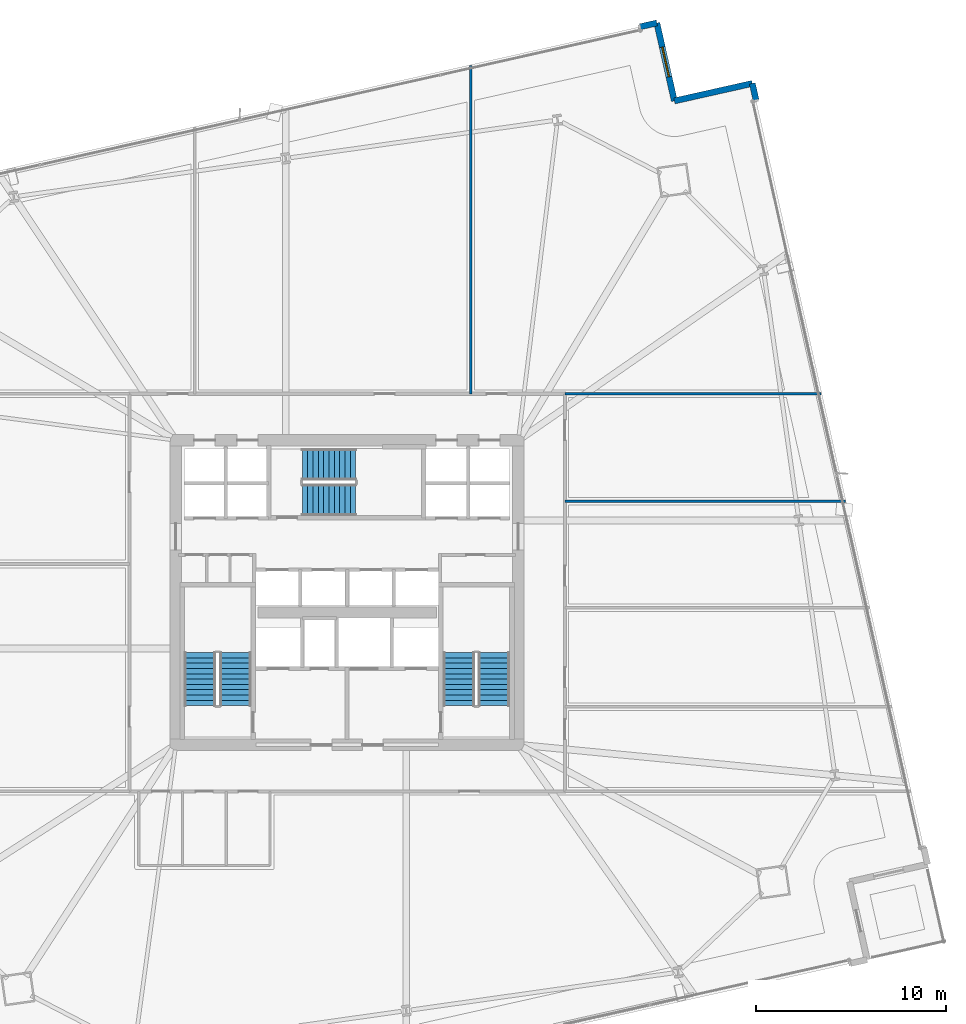
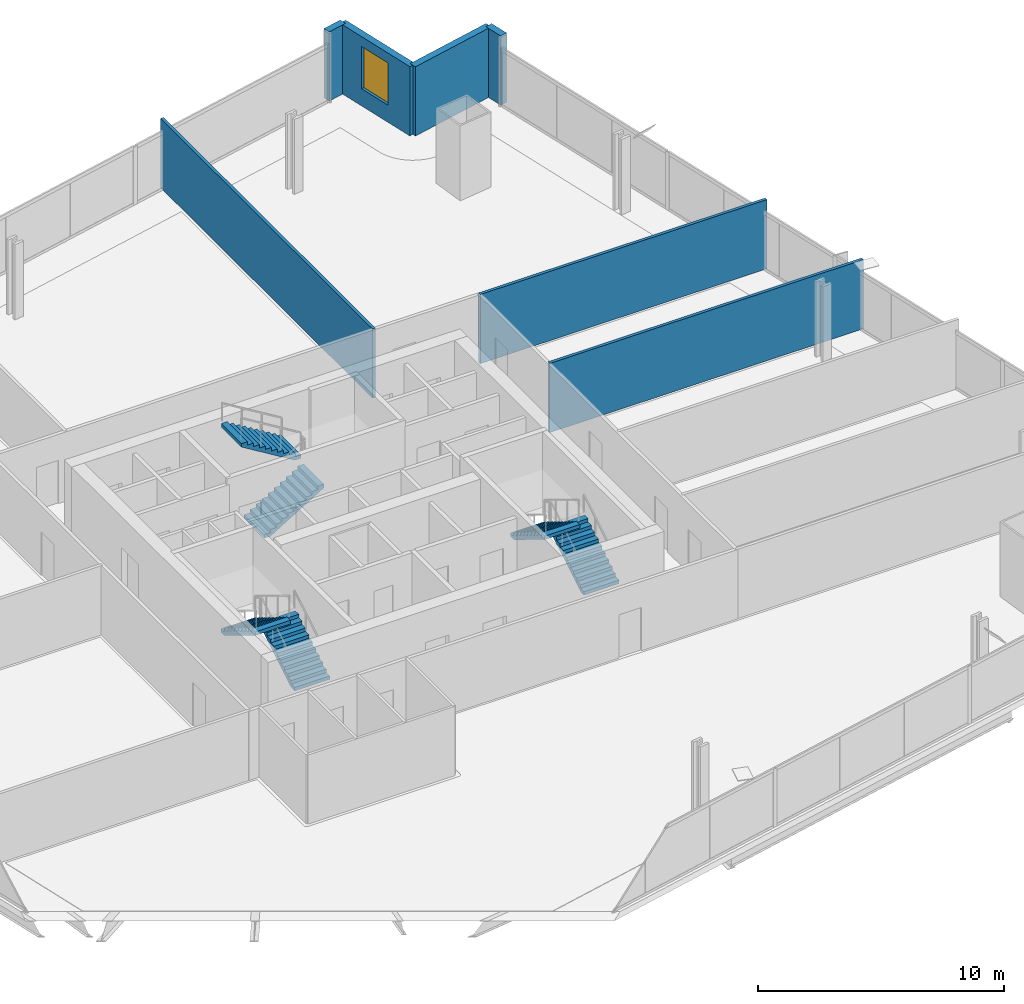
# One storey, part 27 of 32: 7 walls, 6 stair flights, 1 window, 1 opening, 3 elements without a shape of their own.
"""IFC4 building model written with IfcOpenShell, lengths in metres."""

from ifc_helpers import new_model, si_unit, direction, frame, frame_2d, origin, place, context, subcontext, project, spatial, polyline, rectangle, outline, extrude, material, layer, layer_set, type_object, element, fill, aggregate, save


model = new_model("IFC4")

# Units and contexts
model_context = context("Model", 3, precision=1e-05, world=origin(), true_north=direction((0.0, 1.0)))
body_context = subcontext(model_context, "Body", "Model", "MODEL_VIEW")
ifc_project = project(units=[si_unit("LENGTHUNIT", "METRE"), si_unit("AREAUNIT", "SQUARE_METRE"), si_unit("VOLUMEUNIT", "CUBIC_METRE"), si_unit("PLANEANGLEUNIT", "RADIAN"), si_unit("MASSUNIT", "GRAM", prefix="KILO")], contexts=[model_context])

# Site, building, storey
site_placement = place(None, origin())
site = spatial("IfcSite", under=ifc_project, at=site_placement, CompositionType="ELEMENT")
building_placement = place(site_placement, origin())
building = spatial("IfcBuilding", under=site, at=building_placement, Name="Haldenkirk Collegiate Tower", CompositionType="ELEMENT")
storey_placement = place(building_placement, frame((0.0, 0.0, 70.199951171875)))
storey = spatial("IfcBuildingStorey", under=building, at=storey_placement, Name="L16", CompositionType="ELEMENT", Elevation=70.199951171875)

# Walls
ifc_material_1 = material(Name="Precast concrete f'c 40 MPa", Category="concrete")
ifc_layer_1 = layer(ifc_material_1, 0.320068359375)
ifc_layer_set_1 = layer_set([ifc_layer_1], Name="Precast concrete f'c 40 MPa")
wall_type_1 = type_object("IfcWallType", Name="WL-EXT-TWR-320", PredefinedType="STANDARD", material=ifc_layer_set_1)
wall_1_placement = place(storey_placement, frame((57.3056640625, 52.765380859375, 0.0), z_axis=(0.0, 0.0, 1.0), x_axis=(0.218911849947, -0.975744639725, 0.0)))
element("IfcWall", 1, at=wall_1_placement, inside=storey, type_object=wall_type_1, Name="L16 precast corner pier EL", PredefinedType="STANDARD", context=body_context, shape_type="SweptSolid", body=[
    extrude(rectangle(XDim=0.89990234375, YDim=0.320068359375, at=frame_2d((0.449951171875, 0.0))), origin(), (0.0, 0.0, 1.0), 3.43994140625),
])
wall_2_placement = place(storey_placement, frame((53.20751953125, 51.845703125, 0.0), z_axis=(0.0, 0.0, 1.0), x_axis=(0.975732221951, 0.218967191713, 0.0)))
element("IfcWall", 2, at=wall_2_placement, inside=storey, type_object=wall_type_1, Name="L16 bronze precast notch wall 05", PredefinedType="STANDARD", context=body_context, shape_type="SweptSolid", body=[
    extrude(rectangle(XDim=4.199951171875, YDim=0.320068359375, at=frame_2d((2.10009765625, 0.0))), origin(), (0.0, 0.0, 1.0), 3.43994140625),
])

# Wall, opening, window
wall_3_placement = place(storey_placement, frame((52.287841796875, 55.94384765625, 0.0), z_axis=(0.0, 0.0, 1.0), x_axis=(0.218967191713, -0.975732221951, 0.0)))
wall_3 = element("IfcWall", 3, at=wall_3_placement, inside=storey, type_object=wall_type_1, Name="L16 bronze precast notch wall 06", PredefinedType="STANDARD", context=body_context, shape_type="SweptSolid", body=[
    extrude(rectangle(XDim=4.199951171875, YDim=0.320068359375, at=frame_2d((2.10009765625, 0.0))), origin(), (0.0, 0.0, 1.0), 3.43994140625),
])
opening_placement = place(wall_3_placement, frame((1.300048828125, 0.0, 0.85009765625)))
opening = element("IfcOpeningElement", 4, at=opening_placement, cuts=wall_3, Name="Opening W-03", PredefinedType="OPENING", context=body_context, shape_type="SweptSolid", body=[
    extrude(rectangle(XDim=1.60009765625, YDim=2.10009765625, at=frame_2d((0.800048828125, 1.050048828125))), frame((0.0, 0.169921875, 0.0), z_axis=(0.0, -1.0, 0.0), x_axis=(1.0, 0.0, 0.0)), (0.0, 0.0, 1.0), 0.340087890625),
])
ifc_material_2 = material(Name="Low-E argon triple insulating glass", Category="glass")
ifc_layer_2 = layer(ifc_material_2, 0.090087890625)
ifc_layer_set_2 = layer_set([ifc_layer_2], Name="Low-E argon triple insulating glass")
window_type = type_object("IfcWindowType", Name="WN-Z1-1600X2100", PartitioningType="SINGLE_PANEL", PredefinedType="WINDOW", material=ifc_layer_set_2)
window_placement = place(opening_placement, origin())
window = element("IfcWindow", 5, at=window_placement, inside=storey, type_object=window_type, Name="L16 precast-frame academic window 5", OverallHeight=2.10009765625, OverallWidth=1.60009765625, PartitioningType="SINGLE_PANEL", PredefinedType="WINDOW", context=body_context, shape_type="SweptSolid", body=[
    extrude(rectangle(XDim=1.60009765625, YDim=2.10009765625, at=frame_2d((0.800048828125, 1.050048828125))), frame((0.0, 0.030029296875, 0.0), z_axis=(0.0, -1.0, 0.0), x_axis=(1.0, 0.0, 0.0)), (0.0, 0.0, 1.0), 0.06005859375),
])
fill(opening, window)

# Walls
wall_4_placement = place(storey_placement, frame((51.40966796875, 55.74658203125, 0.0), z_axis=(0.0, 0.0, 1.0), x_axis=(0.975686665965, 0.219170093439, 0.0)))
element("IfcWall", 6, at=wall_4_placement, inside=storey, type_object=wall_type_1, Name="L16 precast corner pier NR", PredefinedType="STANDARD", context=body_context, shape_type="SweptSolid", body=[
    extrude(rectangle(XDim=0.900146484375, YDim=0.320068359375, at=frame_2d((0.4501953125, 0.0))), origin(), (0.0, 0.0, 1.0), 3.43994140625),
])
ifc_material_3 = material(Name="Acoustic fire-rated gypsum partition", Category="concrete")
ifc_layer_3 = layer(ifc_material_3, 0.139892578125)
ifc_layer_set_3 = layer_set([ifc_layer_3], Name="Acoustic fire-rated gypsum partition")
wall_type_2 = type_object("IfcWallType", Name="WL-INT-DIV-140", PredefinedType="PARTITIONING", material=ifc_layer_set_3)
wall_5_placement = place(storey_placement, frame((47.449951171875, 36.449951171875, 0.0), z_axis=(0.0, 0.0, 1.0), x_axis=(1.0, 0.0, 0.0)))
element("IfcWall", 7, at=wall_5_placement, inside=storey, type_object=wall_type_2, Name="L16 interior partition IW-L16-BEN", PredefinedType="PARTITIONING", context=body_context, shape_type="SweptSolid", body=[
    extrude(rectangle(XDim=13.4765625, YDim=0.139892578125, at=frame_2d((6.73828125, 0.0))), origin(), (0.0, 0.0, 1.0), 3.43994140625),
])
wall_6_placement = place(storey_placement, frame((42.5, 36.449951171875, 0.0), z_axis=(0.0, 0.0, 1.0), x_axis=(0.0, 1.0, 0.0)))
element("IfcWall", 8, at=wall_6_placement, inside=storey, type_object=wall_type_2, Name="L16 interior partition IW-L16-RN2", PredefinedType="PARTITIONING", context=body_context, shape_type="SweptSolid", body=[
    extrude(rectangle(XDim=17.256103515625, YDim=0.139892578125, at=frame_2d((8.6279296875, 0.0))), origin(), (0.0, 0.0, 1.0), 3.43994140625),
])
wall_7_placement = place(storey_placement, frame((47.449951171875, 30.800048828125, 0.0), z_axis=(0.0, 0.0, 1.0), x_axis=(1.0, 0.0, 0.0)))
element("IfcWall", 9, at=wall_7_placement, inside=storey, type_object=wall_type_2, Name="L16 interior partition IW-L16-RE3", PredefinedType="PARTITIONING", context=body_context, shape_type="SweptSolid", body=[
    extrude(rectangle(XDim=14.74462890625, YDim=0.139892578125, at=frame_2d((7.372314453125, 0.0))), origin(), (0.0, 0.0, 1.0), 3.43994140625),
])

# Stair, stair flights
ifc_material_4 = material(Name="Concrete f'c 40 MPa", Category="concrete")
stair_type = type_object("IfcStairType", Name="STR-DOGLEG-1650", PredefinedType="HALF_TURN_STAIR", material=ifc_material_4)
stair_1_placement = place(storey_placement, origin())
stair_1 = element("IfcStair", 10, at=stair_1_placement, inside=storey, type_object=stair_type, Name="L16 Core Exit Stair ST-1", PredefinedType="HALF_TURN_STAIR")
stair_flight_type = type_object("IfcStairFlightType", Name="STF-FLIGHT-1650", PredefinedType="STRAIGHT", material=ifc_material_4)
stair_flight_1_placement = place(storey_placement, frame((30.125, 20.050048828125, 0.0), z_axis=(0.0, 0.0, 1.0), x_axis=(0.0, 1.0, 0.0)))
stair_flight_1 = element("IfcStairFlight", 11, at=stair_flight_1_placement, type_object=stair_flight_type, Name="ST-1 flight 1", NumberOfRisers=11, NumberOfTreads=10, PredefinedType="STRAIGHT", RiserHeight=0.170454545, TreadLength=0.28, context=body_context, shape_type="SweptSolid", body=[
    extrude(outline(polyline([(0.0, 0.0), (0.0, 0.17041015625), (0.280029296875, 0.17041015625), (0.280029296875, 0.3408203125), (0.56005859375, 0.3408203125), (0.56005859375, 0.511474609375), (0.840087890625, 0.511474609375), (0.840087890625, 0.681884765625), (1.1201171875, 0.681884765625), (1.1201171875, 0.852294921875), (1.39990234375, 0.852294921875), (1.39990234375, 1.022705078125), (1.679931640625, 1.022705078125), (1.679931640625, 1.193115234375), (1.9599609375, 1.193115234375), (1.9599609375, 1.363525390625), (2.239990234375, 1.363525390625), (2.239990234375, 1.5341796875), (2.52001953125, 1.5341796875), (2.52001953125, 1.70458984375), (2.800048828125, 1.70458984375), (2.800048828125, 1.875), (2.800048828125, 1.529052734375), (0.288330078125, 0.0), (0.0, 0.0)])), frame((0.0, 0.824951171875, 0.0), z_axis=(0.0, -1.0, 0.0), x_axis=(1.0, 0.0, 0.0)), (0.0, 0.0, 1.0), 1.64990234375),
])
stair_flight_2_placement = place(storey_placement, frame((28.27490234375, 22.85009765625, 1.875), z_axis=(0.0, 0.0, 1.0), x_axis=(0.0, -1.0, 0.0)))
stair_flight_2 = element("IfcStairFlight", 12, at=stair_flight_2_placement, type_object=stair_flight_type, Name="ST-1 flight 2", NumberOfRisers=11, NumberOfTreads=10, PredefinedType="STRAIGHT", RiserHeight=0.170454545, TreadLength=0.28, context=body_context, shape_type="SweptSolid", body=[
    extrude(outline(polyline([(0.0, 0.0), (0.0, 0.17041015625), (0.280029296875, 0.17041015625), (0.280029296875, 0.3408203125), (0.56005859375, 0.3408203125), (0.56005859375, 0.511474609375), (0.840087890625, 0.511474609375), (0.840087890625, 0.681884765625), (1.1201171875, 0.681884765625), (1.1201171875, 0.852294921875), (1.39990234375, 0.852294921875), (1.39990234375, 1.022705078125), (1.679931640625, 1.022705078125), (1.679931640625, 1.193115234375), (1.9599609375, 1.193115234375), (1.9599609375, 1.363525390625), (2.239990234375, 1.363525390625), (2.239990234375, 1.5341796875), (2.52001953125, 1.5341796875), (2.52001953125, 1.70458984375), (2.800048828125, 1.70458984375), (2.800048828125, 1.875), (2.800048828125, 1.529052734375), (0.288330078125, 0.0), (0.0, 0.0)])), frame((0.0, 0.824951171875, 0.0), z_axis=(0.0, -1.0, 0.0), x_axis=(1.0, 0.0, 0.0)), (0.0, 0.0, 1.0), 1.64990234375),
])
aggregate(stair_1, [stair_flight_1, stair_flight_2])

stair_2_placement = place(storey_placement, origin())
stair_2 = element("IfcStair", 13, at=stair_2_placement, inside=storey, type_object=stair_type, Name="L16 Core Exit Stair ST-2", PredefinedType="HALF_TURN_STAIR")
stair_flight_3_placement = place(storey_placement, frame((43.72509765625, 20.050048828125, 0.0), z_axis=(0.0, 0.0, 1.0), x_axis=(0.0, 1.0, 0.0)))
stair_flight_3 = element("IfcStairFlight", 14, at=stair_flight_3_placement, type_object=stair_flight_type, Name="ST-2 flight 1", NumberOfRisers=11, NumberOfTreads=10, PredefinedType="STRAIGHT", RiserHeight=0.170454545, TreadLength=0.28, context=body_context, shape_type="SweptSolid", body=[
    extrude(outline(polyline([(0.0, 0.0), (0.0, 0.17041015625), (0.280029296875, 0.17041015625), (0.280029296875, 0.3408203125), (0.56005859375, 0.3408203125), (0.56005859375, 0.511474609375), (0.840087890625, 0.511474609375), (0.840087890625, 0.681884765625), (1.1201171875, 0.681884765625), (1.1201171875, 0.852294921875), (1.39990234375, 0.852294921875), (1.39990234375, 1.022705078125), (1.679931640625, 1.022705078125), (1.679931640625, 1.193115234375), (1.9599609375, 1.193115234375), (1.9599609375, 1.363525390625), (2.239990234375, 1.363525390625), (2.239990234375, 1.5341796875), (2.52001953125, 1.5341796875), (2.52001953125, 1.70458984375), (2.800048828125, 1.70458984375), (2.800048828125, 1.875), (2.800048828125, 1.529052734375), (0.288330078125, 0.0), (0.0, 0.0)])), frame((0.0, 0.824951171875, 0.0), z_axis=(0.0, -1.0, 0.0), x_axis=(1.0, 0.0, 0.0)), (0.0, 0.0, 1.0), 1.64990234375),
])
stair_flight_4_placement = place(storey_placement, frame((41.875, 22.85009765625, 1.875), z_axis=(0.0, 0.0, 1.0), x_axis=(0.0, -1.0, 0.0)))
stair_flight_4 = element("IfcStairFlight", 15, at=stair_flight_4_placement, type_object=stair_flight_type, Name="ST-2 flight 2", NumberOfRisers=11, NumberOfTreads=10, PredefinedType="STRAIGHT", RiserHeight=0.170454545, TreadLength=0.28, context=body_context, shape_type="SweptSolid", body=[
    extrude(outline(polyline([(0.0, 0.0), (0.0, 0.17041015625), (0.280029296875, 0.17041015625), (0.280029296875, 0.3408203125), (0.56005859375, 0.3408203125), (0.56005859375, 0.511474609375), (0.840087890625, 0.511474609375), (0.840087890625, 0.681884765625), (1.1201171875, 0.681884765625), (1.1201171875, 0.852294921875), (1.39990234375, 0.852294921875), (1.39990234375, 1.022705078125), (1.679931640625, 1.022705078125), (1.679931640625, 1.193115234375), (1.9599609375, 1.193115234375), (1.9599609375, 1.363525390625), (2.239990234375, 1.363525390625), (2.239990234375, 1.5341796875), (2.52001953125, 1.5341796875), (2.52001953125, 1.70458984375), (2.800048828125, 1.70458984375), (2.800048828125, 1.875), (2.800048828125, 1.529052734375), (0.288330078125, 0.0), (0.0, 0.0)])), frame((0.0, 0.824951171875, 0.0), z_axis=(0.0, -1.0, 0.0), x_axis=(1.0, 0.0, 0.0)), (0.0, 0.0, 1.0), 1.64990234375),
])
aggregate(stair_2, [stair_flight_3, stair_flight_4])

stair_3_placement = place(storey_placement, origin())
stair_3 = element("IfcStair", 16, at=stair_3_placement, inside=storey, type_object=stair_type, Name="L16 Core Exit Stair ST-3", PredefinedType="HALF_TURN_STAIR")
stair_flight_5_placement = place(storey_placement, frame((33.64990234375, 30.875, 0.0), z_axis=(0.0, 0.0, 1.0), x_axis=(1.0, 0.0, 0.0)))
stair_flight_5 = element("IfcStairFlight", 17, at=stair_flight_5_placement, type_object=stair_flight_type, Name="ST-3 flight 1", NumberOfRisers=11, NumberOfTreads=10, PredefinedType="STRAIGHT", RiserHeight=0.170454545, TreadLength=0.28, context=body_context, shape_type="SweptSolid", body=[
    extrude(outline(polyline([(0.0, 0.0), (0.0, 0.17041015625), (0.280029296875, 0.17041015625), (0.280029296875, 0.3408203125), (0.56005859375, 0.3408203125), (0.56005859375, 0.511474609375), (0.840087890625, 0.511474609375), (0.840087890625, 0.681884765625), (1.1201171875, 0.681884765625), (1.1201171875, 0.852294921875), (1.39990234375, 0.852294921875), (1.39990234375, 1.022705078125), (1.679931640625, 1.022705078125), (1.679931640625, 1.193115234375), (1.9599609375, 1.193115234375), (1.9599609375, 1.363525390625), (2.239990234375, 1.363525390625), (2.239990234375, 1.5341796875), (2.52001953125, 1.5341796875), (2.52001953125, 1.70458984375), (2.800048828125, 1.70458984375), (2.800048828125, 1.875), (2.800048828125, 1.529052734375), (0.288330078125, 0.0), (0.0, 0.0)])), frame((0.0, 0.824951171875, 0.0), z_axis=(0.0, -1.0, 0.0), x_axis=(1.0, 0.0, 0.0)), (0.0, 0.0, 1.0), 1.64990234375),
])
stair_flight_6_placement = place(storey_placement, frame((36.449951171875, 32.72509765625, 1.875), z_axis=(0.0, 0.0, 1.0), x_axis=(-1.0, 0.0, 0.0)))
stair_flight_6 = element("IfcStairFlight", 18, at=stair_flight_6_placement, type_object=stair_flight_type, Name="ST-3 flight 2", NumberOfRisers=11, NumberOfTreads=10, PredefinedType="STRAIGHT", RiserHeight=0.170454545, TreadLength=0.28, context=body_context, shape_type="SweptSolid", body=[
    extrude(outline(polyline([(0.0, 0.0), (0.0, 0.17041015625), (0.280029296875, 0.17041015625), (0.280029296875, 0.3408203125), (0.56005859375, 0.3408203125), (0.56005859375, 0.511474609375), (0.840087890625, 0.511474609375), (0.840087890625, 0.681884765625), (1.1201171875, 0.681884765625), (1.1201171875, 0.852294921875), (1.39990234375, 0.852294921875), (1.39990234375, 1.022705078125), (1.679931640625, 1.022705078125), (1.679931640625, 1.193115234375), (1.9599609375, 1.193115234375), (1.9599609375, 1.363525390625), (2.239990234375, 1.363525390625), (2.239990234375, 1.5341796875), (2.52001953125, 1.5341796875), (2.52001953125, 1.70458984375), (2.800048828125, 1.70458984375), (2.800048828125, 1.875), (2.800048828125, 1.529052734375), (0.288330078125, 0.0), (0.0, 0.0)])), frame((0.0, 0.824951171875, 0.0), z_axis=(0.0, -1.0, 0.0), x_axis=(1.0, 0.0, 0.0)), (0.0, 0.0, 1.0), 1.64990234375),
])
aggregate(stair_3, [stair_flight_5, stair_flight_6])

save(model, "model.ifc")
